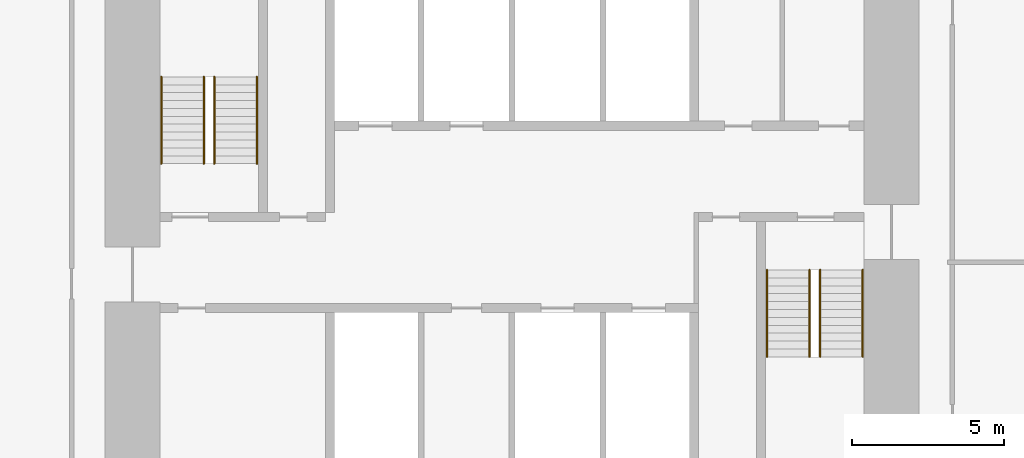
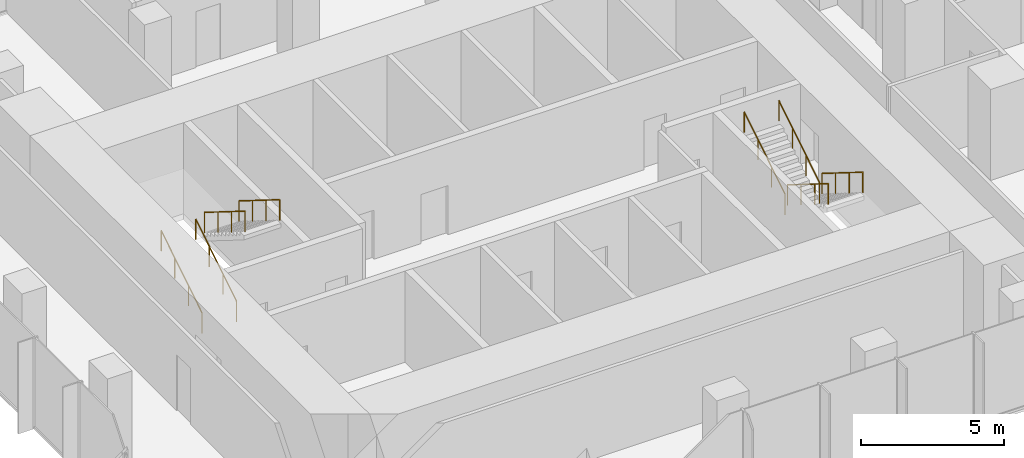
# One storey, part 10 of 10: 8 railings.
"""IFC4 building model written with IfcOpenShell, lengths in metres."""

from ifc_helpers import new_model, si_unit, direction, frame, origin, origin_2d, place, context, subcontext, project, spatial, circle, extrude, material, type_object, element, save


model = new_model("IFC4")

# Units and contexts
model_context = context("Model", 3, precision=1e-05, world=origin(), true_north=direction((0.0, 1.0)))
body_context = subcontext(model_context, "Body", "Model", "MODEL_VIEW")
ifc_project = project(units=[si_unit("LENGTHUNIT", "METRE"), si_unit("AREAUNIT", "SQUARE_METRE"), si_unit("VOLUMEUNIT", "CUBIC_METRE"), si_unit("PLANEANGLEUNIT", "RADIAN"), si_unit("MASSUNIT", "GRAM", prefix="KILO")], contexts=[model_context])

# Site, building, storey
site_placement = place(None, origin())
site = spatial("IfcSite", under=ifc_project, at=site_placement, CompositionType="ELEMENT")
building_placement = place(site_placement, origin())
building = spatial("IfcBuilding", under=site, at=building_placement, Name="Highveld Stack Headquarters", CompositionType="ELEMENT")
storey_placement = place(building_placement, frame((0.0, 0.0, 256.699951171875)))
storey = spatial("IfcBuildingStorey", under=building, at=storey_placement, Name="L63", CompositionType="ELEMENT", Elevation=256.699951171875)

# Railings
ifc_material = material(Name="Stainless steel handrail", Category="steel")
railing_type = type_object("IfcRailingType", Name="STAIR HANDRAIL HR1 900", PredefinedType="HANDRAIL", material=ifc_material)
for number, where, name in (
    (1, (-5.550048828125, 4.75, 0.16259765625), "Handrail S1 L63 flight 1"),
    (2, (-4.14990234375, 4.75, 0.16259765625), "Handrail S1 L63 flight 1"),
):
    element("IfcRailing", number, at=place(storey_placement, frame(where)), inside=storey, type_object=railing_type, Name=name, PredefinedType="HANDRAIL", context=body_context, shape_type="SweptSolid", body=[
        extrude(circle(Radius=0.02392578125, at=origin_2d()), frame((0.0, 0.0, 0.8759765625), z_axis=(0.0, 0.848026770018, 0.529953391661), x_axis=(-1.0, 0.0, 0.0)), (0.0, 0.0, 1.0), 3.37255859375),
        extrude(circle(Radius=0.02099609375, at=origin_2d()), origin(), (0.0, 0.0, 1.0), 0.851806640625),
        extrude(circle(Radius=0.02099609375, at=origin_2d()), frame((0.0, 0.953369140625, 0.595703125)), (0.0, 0.0, 1.0), 0.851806640625),
        extrude(circle(Radius=0.02099609375, at=origin_2d()), frame((0.0, 1.90673828125, 1.191650390625)), (0.0, 0.0, 1.0), 0.851806640625),
        extrude(circle(Radius=0.02099609375, at=origin_2d()), frame((0.0, 2.860107421875, 1.787353515625)), (0.0, 0.0, 1.0), 0.851806640625),
    ])
for number, where, name in (
    (3, (-3.800048828125, 7.610107421875, 2.112548828125), "Handrail S1 L63 flight 2"),
    (4, (-2.39990234375, 7.610107421875, 2.112548828125), "Handrail S1 L63 flight 2"),
):
    element("IfcRailing", number, at=place(storey_placement, frame(where)), inside=storey, type_object=railing_type, Name=name, PredefinedType="HANDRAIL", context=body_context, shape_type="SweptSolid", body=[
        extrude(circle(Radius=0.02392578125, at=origin_2d()), frame((0.0, 0.0, 0.8759765625), z_axis=(0.0, -0.847994237388, 0.530005446535), x_axis=(1.0, 0.0, 0.0)), (0.0, 0.0, 1.0), 3.372802734375),
        extrude(circle(Radius=0.02099609375, at=origin_2d()), origin(), (0.0, 0.0, 1.0), 0.851806640625),
        extrude(circle(Radius=0.02099609375, at=origin_2d()), frame((0.0, -0.953369140625, 0.595947265625)), (0.0, 0.0, 1.0), 0.851806640625),
        extrude(circle(Radius=0.02099609375, at=origin_2d()), frame((0.0, -1.90673828125, 1.191650390625)), (0.0, 0.0, 1.0), 0.851806640625),
        extrude(circle(Radius=0.02099609375, at=origin_2d()), frame((0.0, -2.860107421875, 1.78759765625)), (0.0, 0.0, 1.0), 0.851806640625),
    ])
for number, where, name in (
    (5, (16.14990234375, 1.25, 0.16259765625), "Handrail S2 L63 flight 1"),
    (6, (17.550048828125, 1.25, 0.16259765625), "Handrail S2 L63 flight 1"),
):
    element("IfcRailing", number, at=place(storey_placement, frame(where)), inside=storey, type_object=railing_type, Name=name, PredefinedType="HANDRAIL", context=body_context, shape_type="SweptSolid", body=[
        extrude(circle(Radius=0.02392578125, at=origin_2d()), frame((0.0, 0.0, 0.8759765625), z_axis=(0.0, -0.848026770018, 0.529953391661), x_axis=(1.0, 0.0, 0.0)), (0.0, 0.0, 1.0), 3.37255859375),
        extrude(circle(Radius=0.02099609375, at=origin_2d()), origin(), (0.0, 0.0, 1.0), 0.851806640625),
        extrude(circle(Radius=0.02099609375, at=origin_2d()), frame((0.0, -0.953369140625, 0.595703125)), (0.0, 0.0, 1.0), 0.851806640625),
        extrude(circle(Radius=0.02099609375, at=origin_2d()), frame((0.0, -1.90673828125, 1.191650390625)), (0.0, 0.0, 1.0), 0.851806640625),
        extrude(circle(Radius=0.02099609375, at=origin_2d()), frame((0.0, -2.860107421875, 1.787353515625)), (0.0, 0.0, 1.0), 0.851806640625),
    ])
for number, where, name in (
    (7, (14.39990234375, -1.610107421875, 2.112548828125), "Handrail S2 L63 flight 2"),
    (8, (15.800048828125, -1.610107421875, 2.112548828125), "Handrail S2 L63 flight 2"),
):
    element("IfcRailing", number, at=place(storey_placement, frame(where)), inside=storey, type_object=railing_type, Name=name, PredefinedType="HANDRAIL", context=body_context, shape_type="SweptSolid", body=[
        extrude(circle(Radius=0.02392578125, at=origin_2d()), frame((0.0, 0.0, 0.8759765625), z_axis=(0.0, 0.847994237388, 0.530005446535), x_axis=(-1.0, 0.0, 0.0)), (0.0, 0.0, 1.0), 3.372802734375),
        extrude(circle(Radius=0.02099609375, at=origin_2d()), origin(), (0.0, 0.0, 1.0), 0.851806640625),
        extrude(circle(Radius=0.02099609375, at=origin_2d()), frame((0.0, 0.953369140625, 0.595947265625)), (0.0, 0.0, 1.0), 0.851806640625),
        extrude(circle(Radius=0.02099609375, at=origin_2d()), frame((0.0, 1.90673828125, 1.191650390625)), (0.0, 0.0, 1.0), 0.851806640625),
        extrude(circle(Radius=0.02099609375, at=origin_2d()), frame((0.0, 2.860107421875, 1.78759765625)), (0.0, 0.0, 1.0), 0.851806640625),
    ])

save(model, "model.ifc")
